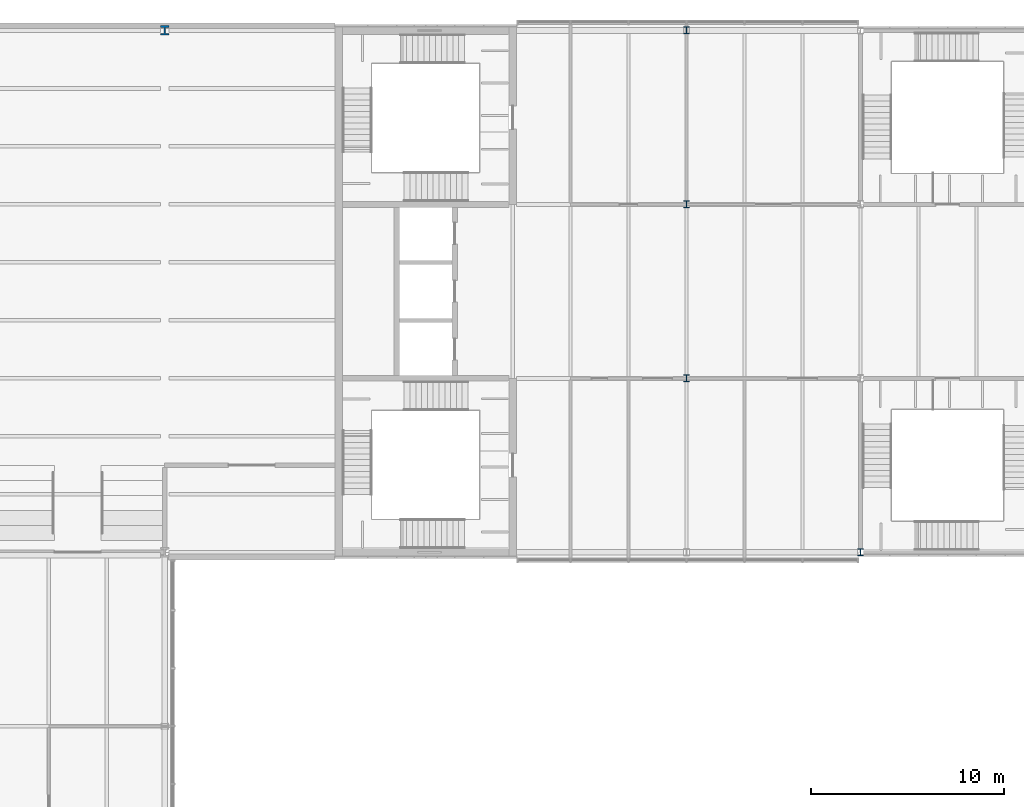
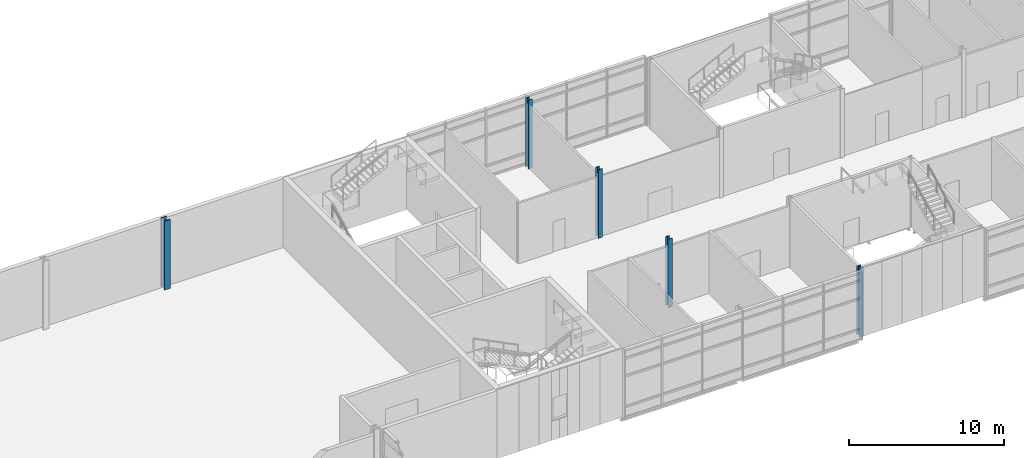
# One storey, part 7 of 52: 5 columns.
"""IFC4 building model written with IfcOpenShell, lengths in metres."""

from ifc_helpers import new_model, si_unit, direction, frame, origin, origin_2d, place, context, subcontext, project, spatial, i_section, extrude, material, material_profile, profile_set, type_object, element, save


model = new_model("IFC4")

# Units and contexts
model_context = context("Model", 3, precision=1e-05, world=origin(), true_north=direction((0.0, 1.0)))
body_context = subcontext(model_context, "Body", "Model", "MODEL_VIEW")
ifc_project = project(units=[si_unit("LENGTHUNIT", "METRE"), si_unit("AREAUNIT", "SQUARE_METRE"), si_unit("VOLUMEUNIT", "CUBIC_METRE"), si_unit("PLANEANGLEUNIT", "RADIAN"), si_unit("MASSUNIT", "GRAM", prefix="KILO")], contexts=[model_context])

# Site, building, storey
site_placement = place(None, origin())
site = spatial("IfcSite", under=ifc_project, at=site_placement, CompositionType="ELEMENT")
building_placement = place(site_placement, origin())
building = spatial("IfcBuilding", under=site, at=building_placement, Name="Azimuth Sports and Learning Centre", CompositionType="ELEMENT")
storey_placement = place(building_placement, frame((0.0, 0.0, 16.199951171875)))
storey = spatial("IfcBuildingStorey", under=building, at=storey_placement, Name="L03", CompositionType="ELEMENT", Elevation=16.199951171875)

# Columns
ifc_material_1 = material(Name="Steel S460", Category="steel")
ifc_material_profile_1 = material_profile(ifc_material_1, i_section(OverallWidth=0.431884765625, OverallDepth=0.498046875, WebThickness=0.0556640625, FlangeThickness=0.0888671875, FilletRadius=0.014892578125, at=origin_2d()), Name="HD 400x744")
ifc_profile_set_1 = profile_set([ifc_material_profile_1], Name="Steel S460")
column_type_1 = type_object("IfcColumnType", Name="Column HD 400x744", PredefinedType="COLUMN", material=ifc_profile_set_1)
column_placement = place(storey_placement, frame((99.0, 117.0, 0.0), z_axis=(0.0, 0.0, 1.0), x_axis=(1.0, 0.0, 0.0)))
element("IfcColumn", 1, at=column_placement, inside=storey, type_object=column_type_1, Name="Column 12P L03", PredefinedType="COLUMN", context=body_context, shape_type="SweptSolid", body=[
    extrude(i_section(OverallWidth=0.431884765625, OverallDepth=0.498046875, WebThickness=0.0556640625, FlangeThickness=0.0888671875, FilletRadius=0.014892578125, at=origin_2d()), origin(), (0.0, 0.0, 1.0), 5.400146484375),
])
ifc_material_2 = material(Name="Steel S355", Category="steel")
ifc_material_profile_2 = material_profile(ifc_material_2, i_section(OverallWidth=0.300048828125, OverallDepth=0.360107421875, WebThickness=0.012451171875, FlangeThickness=0.0224609375, FilletRadius=0.027099609375, at=origin_2d()), Name="HEB 360")
ifc_profile_set_2 = profile_set([ifc_material_profile_2], Name="Steel S355")
column_type_2 = type_object("IfcColumnType", Name="Column HEB 360", PredefinedType="COLUMN", material=ifc_profile_set_2)
for number, where, z_axis, x_axis, name in (
    (2, (135.0, 90.0, 0.0), (0.0, 0.0, 1.0), (1.0, 0.0, 0.0), "Column 16L L03"),
    (3, (126.0, 99.0, 0.0), (0.0, 0.0, 1.0), (1.0, 0.0, 0.0), "Column 15M L03"),
    (4, (126.0, 108.0, 0.0), (0.0, 0.0, 1.0), (1.0, 0.0, 0.0), "Column 15N L03"),
    (5, (126.0, 117.0, 0.0), (0.0, 0.0, 1.0), (1.0, 0.0, 0.0), "Column 15P L03"),
):
    element("IfcColumn", number, at=place(storey_placement, frame(where, z_axis=z_axis, x_axis=x_axis)), inside=storey, type_object=column_type_2, Name=name, PredefinedType="COLUMN", context=body_context, shape_type="SweptSolid", body=[
        extrude(i_section(OverallWidth=0.300048828125, OverallDepth=0.360107421875, WebThickness=0.012451171875, FlangeThickness=0.0224609375, FilletRadius=0.027099609375, at=origin_2d()), origin(), (0.0, 0.0, 1.0), 5.400146484375),
    ])

save(model, "model.ifc")
